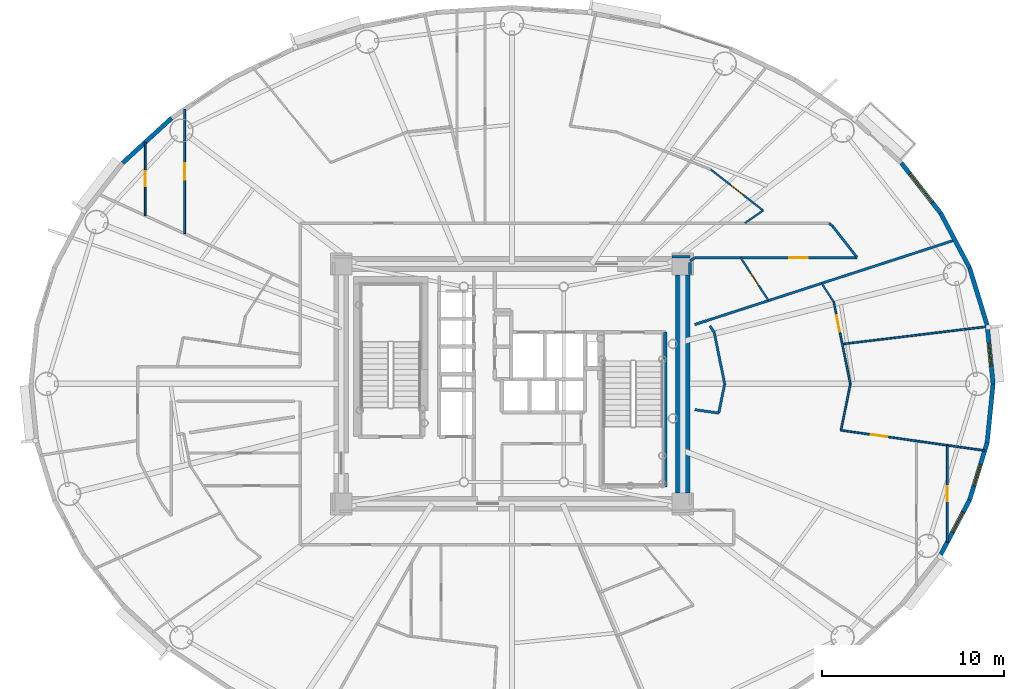
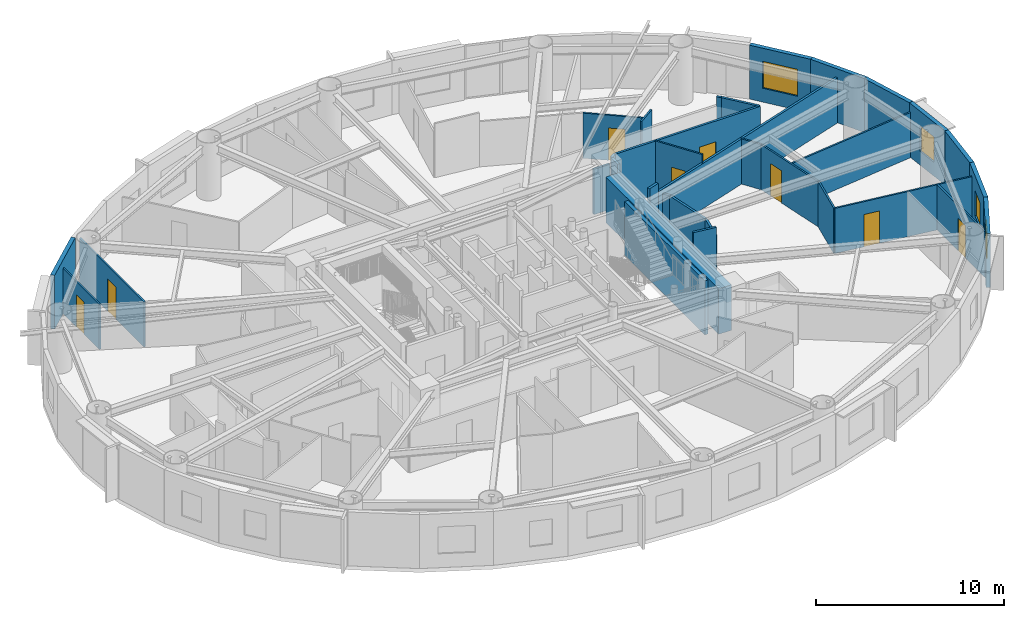
# One storey, part 10 of 18: 33 walls, 8 doors, 4 windows, 12 openings.
"""IFC4 building model written with IfcOpenShell, lengths in metres."""

from ifc_helpers import new_model, si_unit, direction, frame, frame_2d, origin, origin_2d, place, context, subcontext, project, spatial, rectangle, extrude, source, transform, mapped, material, layer, layer_set, type_object, element, fill, save


model = new_model("IFC4")

# Units and contexts
model_context = context("Model", 3, precision=1e-05, world=origin(), true_north=direction((0.0, 1.0)))
body_context = subcontext(model_context, "Body", "Model", "MODEL_VIEW")
ifc_project = project(units=[si_unit("LENGTHUNIT", "METRE"), si_unit("AREAUNIT", "SQUARE_METRE"), si_unit("VOLUMEUNIT", "CUBIC_METRE"), si_unit("PLANEANGLEUNIT", "RADIAN"), si_unit("MASSUNIT", "GRAM", prefix="KILO")], contexts=[model_context])

# Site, building, storey
site_placement = place(None, origin())
site = spatial("IfcSite", under=ifc_project, at=site_placement, CompositionType="ELEMENT")
building_placement = place(site_placement, origin())
building = spatial("IfcBuilding", under=site, at=building_placement, Name="Linh Dai School and Residence Tower", CompositionType="ELEMENT")
storey_placement = place(building_placement, frame((0.0, 0.0, 159.89990234375)))
storey = spatial("IfcBuildingStorey", under=building, at=storey_placement, Name="L38", CompositionType="ELEMENT", Elevation=159.89990234375)

# Wall, opening, window
ifc_material_1 = material(Name="Precast Concrete B45 (C35/45)", Category="concrete")
ifc_layer_1 = layer(ifc_material_1, 0.239990234375)
ifc_layer_set_1 = layer_set([ifc_layer_1], Name="Precast Concrete B45 (C35/45)")
wall_type_1 = type_object("IfcWallType", Name="EW-TC-240", PredefinedType="SOLIDWALL", material=ifc_layer_set_1)
wall_1_placement = place(storey_placement, frame((62.14990234375, 30.233642578125, 0.0), z_axis=(0.0, 0.0, 1.0), x_axis=(0.100061534614, -0.994981250723, 0.0)))
wall_1 = element("IfcWall", 1, at=wall_1_placement, inside=storey, type_object=wall_type_1, Name="L38 Terracotta Exterior Wall 01", PredefinedType="SOLIDWALL", context=body_context, shape_type="SweptSolid", body=[
    extrude(rectangle(XDim=3.25, YDim=0.239990234375, at=frame_2d((1.625, 0.0))), origin(), (0.0, 0.0, 1.0), 3.5),
])
opening_1_placement = place(wall_1_placement, frame((1.0, 0.0, 0.89990234375)))
opening_1 = element("IfcOpeningElement", 2, at=opening_1_placement, cuts=wall_1, Name="Opening W3", PredefinedType="OPENING", context=body_context, shape_type="SweptSolid", body=[
    extrude(rectangle(XDim=1.25, YDim=1.64990234375, at=origin_2d()), frame((0.625, 0.1298828125, 0.824951171875), z_axis=(0.0, -1.0, 0.0), x_axis=(1.0, 0.0, 0.0)), (0.0, 0.0, 1.0), 0.260009765625),
])
ifc_material_2 = material(Name="Double Low-E Insulated Glazing", Category="glass")
window_type_1 = type_object("IfcWindowType", Name="WN-RES-1250x1650", PartitioningType="SINGLE_PANEL", PredefinedType="WINDOW", material=ifc_material_2)
shared_shape_1 = source(origin(), body_context, "Body", "SweptSolid", [
    extrude(rectangle(XDim=1.25, YDim=1.64990234375, at=origin_2d()), frame((0.625, 0.030029296875, 0.824951171875), z_axis=(0.0, -1.0, 0.0), x_axis=(1.0, 0.0, 0.0)), (0.0, 0.0, 1.0), 0.06005859375),
])
window_1_placement = place(opening_1_placement, origin())
window_1 = element("IfcWindow", 3, at=window_1_placement, inside=storey, type_object=window_type_1, Name="L38 Dwelling Window U3808-BD1", OverallHeight=1.64990234375, OverallWidth=1.25, PartitioningType="SINGLE_PANEL", PredefinedType="WINDOW", context=body_context, shape_type="MappedRepresentation", body=[
    mapped(shared_shape_1, transform((0.0, 0.0, 0.0), x_axis=(1.0, 0.0, 0.0), y_axis=(0.0, 1.0, 0.0), z_axis=(0.0, 0.0, 1.0), scale=1.0)),
])
fill(opening_1, window_1)

# Walls
wall_2_placement = place(storey_placement, frame((61.1826171875, 33.388916015625, 0.0), z_axis=(0.0, 0.0, 1.0), x_axis=(0.293097995113, -0.956082405058, 0.0)))
element("IfcWall", 4, at=wall_2_placement, inside=storey, type_object=wall_type_1, Name="L38 Terracotta Exterior Wall 02", PredefinedType="SOLIDWALL", context=body_context, shape_type="SweptSolid", body=[
    extrude(rectangle(XDim=3.30029296875, YDim=0.239990234375, at=frame_2d((1.650146484375, 0.0))), origin(), (0.0, 0.0, 1.0), 3.5),
])
wall_3_placement = place(storey_placement, frame((59.595947265625, 36.388427734375, 0.0), z_axis=(0.0, 0.0, 1.0), x_axis=(0.467586874938, -0.88394712194, 0.0)))
element("IfcWall", 5, at=wall_3_placement, inside=storey, type_object=wall_type_1, Name="L38 Terracotta Exterior Wall 03", PredefinedType="SOLIDWALL", context=body_context, shape_type="SweptSolid", body=[
    extrude(rectangle(XDim=3.393310546875, YDim=0.239990234375, at=frame_2d((1.69677734375, 0.0))), origin(), (0.0, 0.0, 1.0), 3.5),
])

# Wall, opening, window
wall_4_placement = place(storey_placement, frame((57.42822265625, 39.158447265625, 0.0), z_axis=(0.0, 0.0, 1.0), x_axis=(0.616287674549, -0.787521112224, 0.0)))
wall_4 = element("IfcWall", 6, at=wall_4_placement, inside=storey, type_object=wall_type_1, Name="L38 Terracotta Exterior Wall 04", PredefinedType="SOLIDWALL", context=body_context, shape_type="SweptSolid", body=[
    extrude(rectangle(XDim=3.517333984375, YDim=0.239990234375, at=frame_2d((1.7587890625, 0.0))), origin(), (0.0, 0.0, 1.0), 3.5),
])
opening_2_placement = place(wall_4_placement, frame((0.758544921875, 0.0, 0.89990234375)))
opening_2 = element("IfcOpeningElement", 7, at=opening_2_placement, cuts=wall_4, Name="Opening W1", PredefinedType="OPENING", context=body_context, shape_type="SweptSolid", body=[
    extrude(rectangle(XDim=2.0, YDim=1.75, at=origin_2d()), frame((1.0, 0.1298828125, 0.875), z_axis=(0.0, -1.0, 0.0), x_axis=(1.0, 0.0, 0.0)), (0.0, 0.0, 1.0), 0.260009765625),
])
window_type_2 = type_object("IfcWindowType", Name="WN-RES-2000x1750", PartitioningType="DOUBLE_PANEL_VERTICAL", PredefinedType="WINDOW", material=ifc_material_2)
shared_shape_2 = source(origin(), body_context, "Body", "SweptSolid", [
    extrude(rectangle(XDim=2.0, YDim=1.75, at=origin_2d()), frame((1.0, 0.030029296875, 0.875), z_axis=(0.0, -1.0, 0.0), x_axis=(1.0, 0.0, 0.0)), (0.0, 0.0, 1.0), 0.06005859375),
])
window_2_placement = place(opening_2_placement, origin())
window_2 = element("IfcWindow", 8, at=window_2_placement, inside=storey, type_object=window_type_2, Name="L38 Exterior Window 04.1", OverallHeight=1.75, OverallWidth=2.0, PartitioningType="DOUBLE_PANEL_VERTICAL", PredefinedType="WINDOW", context=body_context, shape_type="MappedRepresentation", body=[
    mapped(shared_shape_2, transform((0.0, 0.0, 0.0), x_axis=(1.0, 0.0, 0.0), y_axis=(0.0, 1.0, 0.0), z_axis=(0.0, 0.0, 1.0), scale=1.0)),
])
fill(opening_2, window_2)

# Wall
wall_5_placement = place(storey_placement, frame((14.57177734375, 39.158447265625, 0.0), z_axis=(0.0, 0.0, 1.0), x_axis=(0.737076565834, 0.675809245349, 0.0)))
element("IfcWall", 9, at=wall_5_placement, inside=storey, type_object=wall_type_1, Name="L38 Terracotta Exterior Wall 16", PredefinedType="SOLIDWALL", context=body_context, shape_type="SweptSolid", body=[
    extrude(rectangle(XDim=3.658203125, YDim=0.239990234375, at=frame_2d((1.8291015625, 0.0))), origin(), (0.0, 0.0, 1.0), 3.5),
])

# Wall, opening, window
wall_6_placement = place(storey_placement, frame((61.1826171875, 20.611083984375, 0.0), z_axis=(0.0, 0.0, 1.0), x_axis=(-0.467586874938, -0.88394712194, 0.0)))
wall_6 = element("IfcWall", 10, at=wall_6_placement, inside=storey, type_object=wall_type_1, Name="L38 Terracotta Exterior Wall 38", PredefinedType="SOLIDWALL", context=body_context, shape_type="SweptSolid", body=[
    extrude(rectangle(XDim=3.393310546875, YDim=0.239990234375, at=frame_2d((1.69677734375, 0.0))), origin(), (0.0, 0.0, 1.0), 3.5),
])
opening_3_placement = place(wall_6_placement, frame((0.75927734375, 0.0, 0.89990234375)))
opening_3 = element("IfcOpeningElement", 11, at=opening_3_placement, cuts=wall_6, Name="Opening W3", PredefinedType="OPENING", context=body_context, shape_type="SweptSolid", body=[
    extrude(rectangle(XDim=1.25, YDim=1.64990234375, at=origin_2d()), frame((0.625, 0.1298828125, 0.824951171875), z_axis=(0.0, -1.0, 0.0), x_axis=(1.0, 0.0, 0.0)), (0.0, 0.0, 1.0), 0.260009765625),
])
window_3_placement = place(opening_3_placement, origin())
window_3 = element("IfcWindow", 12, at=window_3_placement, inside=storey, type_object=window_type_1, Name="L38 Exterior Window 38.1", OverallHeight=1.64990234375, OverallWidth=1.25, PartitioningType="SINGLE_PANEL", PredefinedType="WINDOW", context=body_context, shape_type="MappedRepresentation", body=[
    mapped(shared_shape_1, transform((0.0, 0.0, 0.0), x_axis=(1.0, 0.0, 0.0), y_axis=(0.0, 1.0, 0.0), z_axis=(0.0, 0.0, 1.0), scale=1.0)),
])
fill(opening_3, window_3)

wall_7_placement = place(storey_placement, frame((62.14990234375, 23.766357421875, 0.0), z_axis=(0.0, 0.0, 1.0), x_axis=(-0.293097995113, -0.956082405058, 0.0)))
wall_7 = element("IfcWall", 13, at=wall_7_placement, inside=storey, type_object=wall_type_1, Name="L38 Terracotta Exterior Wall 39", PredefinedType="SOLIDWALL", context=body_context, shape_type="SweptSolid", body=[
    extrude(rectangle(XDim=3.30029296875, YDim=0.239990234375, at=frame_2d((1.650146484375, 0.0))), origin(), (0.0, 0.0, 1.0), 3.5),
])
opening_4_placement = place(wall_7_placement, frame((1.255859375, 0.0, 0.89990234375)))
opening_4 = element("IfcOpeningElement", 14, at=opening_4_placement, cuts=wall_7, Name="Opening W3", PredefinedType="OPENING", context=body_context, shape_type="SweptSolid", body=[
    extrude(rectangle(XDim=1.25, YDim=1.64990234375, at=origin_2d()), frame((0.625, 0.1298828125, 0.824951171875), z_axis=(0.0, -1.0, 0.0), x_axis=(1.0, 0.0, 0.0)), (0.0, 0.0, 1.0), 0.260009765625),
])
window_4_placement = place(opening_4_placement, origin())
window_4 = element("IfcWindow", 15, at=window_4_placement, inside=storey, type_object=window_type_1, Name="L38 Exterior Window 39.1", OverallHeight=1.64990234375, OverallWidth=1.25, PartitioningType="SINGLE_PANEL", PredefinedType="WINDOW", context=body_context, shape_type="MappedRepresentation", body=[
    mapped(shared_shape_1, transform((0.0, 0.0, 0.0), x_axis=(1.0, 0.0, 0.0), y_axis=(0.0, 1.0, 0.0), z_axis=(0.0, 0.0, 1.0), scale=1.0)),
])
fill(opening_4, window_4)

# Wall
wall_8_placement = place(storey_placement, frame((62.47509765625, 27.0, 0.0), z_axis=(0.0, 0.0, 1.0), x_axis=(-0.100061534614, -0.994981250723, 0.0)))
element("IfcWall", 16, at=wall_8_placement, inside=storey, type_object=wall_type_1, Name="L38 Terracotta Exterior Wall 40", PredefinedType="SOLIDWALL", context=body_context, shape_type="SweptSolid", body=[
    extrude(rectangle(XDim=3.25, YDim=0.239990234375, at=frame_2d((1.625, 0.0))), origin(), (0.0, 0.0, 1.0), 3.5),
])

# Wall, opening, door
ifc_material_3 = material(Name="Autoclaved Aerated Concrete Blockwork", Category="masonry")
ifc_layer_2 = layer(ifc_material_3, 0.135009765625)
ifc_layer_set_2 = layer_set([ifc_layer_2], Name="Autoclaved Aerated Concrete Blockwork")
wall_type_2 = type_object("IfcWallType", Name="IW-CORR-135-EI90", PredefinedType="PARTITIONING", material=ifc_layer_set_2)
wall_9_placement = place(storey_placement, frame((46.064697265625, 33.949951171875, 0.0), z_axis=(0.0, 0.0, 1.0), x_axis=(1.0, 0.0, 0.0)))
wall_9 = element("IfcWall", 17, at=wall_9_placement, inside=storey, type_object=wall_type_2, Name="L38 Interior Partition Wall 078", PredefinedType="PARTITIONING", context=body_context, shape_type="SweptSolid", body=[
    extrude(rectangle(XDim=8.932373046875, YDim=0.135009765625, at=frame_2d((4.46630859375, 0.0))), origin(), (0.0, 0.0, 1.0), 3.5),
])
opening_5_placement = place(wall_9_placement, frame((5.203857421875, 0.0, 0.0)))
opening_5 = element("IfcOpeningElement", 18, at=opening_5_placement, cuts=wall_9, Name="Opening D03", PredefinedType="OPENING", context=body_context, shape_type="SweptSolid", body=[
    extrude(rectangle(XDim=1.0, YDim=2.14990234375, at=origin_2d()), frame((0.5, 0.07763671875, 1.074951171875), z_axis=(0.0, -1.0, 0.0), x_axis=(1.0, 0.0, 0.0)), (0.0, 0.0, 1.0), 0.155029296875),
])
ifc_material_4 = material(Name="Fire-Rated Solid Timber Entrance Door", Category="wood")
door_type_1 = type_object("IfcDoorType", Name="DR-FLAT-1000x2150-FD60S", OperationType="NOTDEFINED", PredefinedType="DOOR", material=ifc_material_4)
shared_shape_3 = source(origin(), body_context, "Body", "SweptSolid", [
    extrude(rectangle(XDim=1.0, YDim=2.14990234375, at=origin_2d()), frame((0.5, 0.02490234375, 1.074951171875), z_axis=(0.0, -1.0, 0.0), x_axis=(1.0, 0.0, 0.0)), (0.0, 0.0, 1.0), 0.050048828125),
])
door_1_placement = place(opening_5_placement, origin())
door_1 = element("IfcDoor", 19, at=door_1_placement, inside=storey, type_object=door_type_1, Name="L38 U3801 Apartment Entrance Door", OperationType="SINGLE_SWING_RIGHT", OverallHeight=2.14990234375, OverallWidth=1.0, PredefinedType="DOOR", context=body_context, shape_type="MappedRepresentation", body=[
    mapped(shared_shape_3, transform((0.0, 0.0, 0.0), x_axis=(1.0, 0.0, 0.0), y_axis=(0.0, 1.0, 0.0), z_axis=(0.0, 0.0, 1.0), scale=1.0)),
])
fill(opening_5, door_1)

# Walls
wall_10_placement = place(storey_placement, frame((46.709716796875, 30.479736328125, 0.0), z_axis=(0.0, 0.0, 1.0), x_axis=(0.951054665008, 0.309022691992, 0.0)))
element("IfcWall", 20, at=wall_10_placement, inside=storey, type_object=wall_type_2, Name="L38 Interior Partition Wall 080", PredefinedType="PARTITIONING", context=body_context, shape_type="SweptSolid", body=[
    extrude(rectangle(XDim=14.37158203125, YDim=0.135009765625, at=frame_2d((7.185791015625, 0.0))), origin(), (0.0, 0.0, 1.0), 2.93505859375),
])
wall_11_placement = place(storey_placement, frame((53.453857421875, 35.85009765625, 0.0), z_axis=(0.0, 0.0, 1.0), x_axis=(0.736667385572, -0.676255249913, 0.0)))
element("IfcWall", 21, at=wall_11_placement, inside=storey, type_object=wall_type_2, Name="L38 Interior Partition Wall 087", PredefinedType="PARTITIONING", context=body_context, shape_type="SweptSolid", body=[
    extrude(rectangle(XDim=0.270751953125, YDim=0.135009765625, at=frame_2d((0.13525390625, 0.0))), origin(), (0.0, 0.0, 1.0), 3.5),
])
wall_12_placement = place(storey_placement, frame((53.6533203125, 35.6669921875, 0.0), z_axis=(0.0, 0.0, 1.0), x_axis=(0.616302223209, -0.787509726713, 0.0)))
element("IfcWall", 22, at=wall_12_placement, inside=storey, type_object=wall_type_2, Name="L38 Interior Partition Wall 088", PredefinedType="PARTITIONING", context=body_context, shape_type="SweptSolid", body=[
    extrude(rectangle(XDim=2.180419921875, YDim=0.135009765625, at=frame_2d((1.09033203125, 0.0))), origin(), (0.0, 0.0, 1.0), 3.5),
])
wall_13_placement = place(storey_placement, frame((45.800048828125, 34.0, 0.0), z_axis=(0.0, 0.0, 1.0), x_axis=(-1.0, 0.0, 0.0)))
element("IfcWall", 23, at=wall_13_placement, inside=storey, type_object=wall_type_2, Name="L38 Interior Partition Wall 101", PredefinedType="PARTITIONING", context=body_context, shape_type="SweptSolid", body=[
    extrude(rectangle(XDim=0.989990234375, YDim=0.135009765625, at=frame_2d((0.4951171875, 0.0))), origin(), (0.0, 0.0, 1.0), 2.93505859375),
])
wall_14_placement = place(storey_placement, frame((46.06005859375, 25.581787109375, 0.0), z_axis=(0.0, 0.0, 1.0), x_axis=(0.990207965895, -0.139600086959, 0.0)))
element("IfcWall", 24, at=wall_14_placement, inside=storey, type_object=wall_type_2, Name="L38 Interior Partition Wall 117", PredefinedType="PARTITIONING", context=body_context, shape_type="SweptSolid", body=[
    extrude(rectangle(XDim=1.33251953125, YDim=0.135009765625, at=frame_2d((0.666259765625, 0.0))), origin(), (0.0, 0.0, 1.0), 3.5),
])
wall_15_placement = place(storey_placement, frame((47.379638671875, 25.39599609375, 0.0), z_axis=(0.0, 0.0, 1.0), x_axis=(0.19826737525, 0.980147972457, 0.0)))
element("IfcWall", 25, at=wall_15_placement, inside=storey, type_object=wall_type_2, Name="L38 Interior Partition Wall 118", PredefinedType="PARTITIONING", context=body_context, shape_type="SweptSolid", body=[
    extrude(rectangle(XDim=1.636474609375, YDim=0.135009765625, at=frame_2d((0.818359375, 0.0))), origin(), (0.0, 0.0, 1.0), 2.93505859375),
])
wall_16_placement = place(storey_placement, frame((47.7041015625, 27.0, 0.0), z_axis=(0.0, 0.0, 1.0), x_axis=(-0.198292837027, 0.980142821625, 0.0)))
element("IfcWall", 26, at=wall_16_placement, inside=storey, type_object=wall_type_2, Name="L38 Interior Partition Wall 119", PredefinedType="PARTITIONING", context=body_context, shape_type="SweptSolid", body=[
    extrude(rectangle(XDim=2.8896484375, YDim=0.135009765625, at=frame_2d((1.44482421875, 0.0))), origin(), (0.0, 0.0, 1.0), 2.93505859375),
])
wall_17_placement = place(storey_placement, frame((47.131103515625, 29.832275390625, 0.0), z_axis=(0.0, 0.0, 1.0), x_axis=(-0.545305123916, 0.838237628499, 0.0)))
element("IfcWall", 27, at=wall_17_placement, inside=storey, type_object=wall_type_2, Name="L38 Interior Partition Wall 120", PredefinedType="PARTITIONING", context=body_context, shape_type="SweptSolid", body=[
    extrude(rectangle(XDim=0.433349609375, YDim=0.135009765625, at=frame_2d((0.216796875, 0.0))), origin(), (0.0, 0.0, 1.0), 2.93505859375),
])
ifc_layer_3 = layer(ifc_material_3, 0.14990234375)
ifc_layer_set_3 = layer_set([ifc_layer_3], Name="Autoclaved Aerated Concrete Blockwork")
wall_type_3 = type_object("IfcWallType", Name="IW-SCH-150-EI60", PredefinedType="PARTITIONING", material=ifc_layer_set_3)
wall_18_placement = place(storey_placement, frame((45.800048828125, 33.010009765625, 0.0), z_axis=(0.0, 0.0, 1.0), x_axis=(0.0, 1.0, 0.0)))
element("IfcWall", 28, at=wall_18_placement, inside=storey, type_object=wall_type_3, Name="L38 Interior Partition Wall 111", PredefinedType="PARTITIONING", context=body_context, shape_type="SweptSolid", body=[
    extrude(rectangle(XDim=0.682373046875, YDim=0.14990234375, at=frame_2d((0.34130859375, 0.0))), origin(), (0.0, 0.0, 1.0), 3.5),
])
wall_19_placement = place(storey_placement, frame((45.800048828125, 33.767333984375, 0.0), z_axis=(0.0, 0.0, 1.0), x_axis=(0.823065918238, 0.56794585502, 0.0)))
element("IfcWall", 29, at=wall_19_placement, inside=storey, type_object=wall_type_3, Name="L38 Interior Partition Wall 112", PredefinedType="PARTITIONING", context=body_context, shape_type="SweptSolid", body=[
    extrude(rectangle(XDim=0.321533203125, YDim=0.14990234375, at=frame_2d((0.16064453125, 0.0))), origin(), (0.0, 0.0, 1.0), 3.5),
])
wall_20_placement = place(storey_placement, frame((46.7001953125, 30.476806640625, 0.0), z_axis=(0.0, 0.0, 1.0), x_axis=(-0.951050060735, -0.309036861841, 0.0)))
element("IfcWall", 30, at=wall_20_placement, inside=storey, type_object=wall_type_3, Name="L38 Interior Partition Wall 113", PredefinedType="PARTITIONING", context=body_context, shape_type="SweptSolid", body=[
    extrude(rectangle(XDim=0.673095703125, YDim=0.14990234375, at=frame_2d((0.33642578125, 0.0))), origin(), (0.0, 0.0, 1.0), 3.5),
])
ifc_material_5 = material(Name="Concrete B45 (C35/45)", Category="concrete")
ifc_layer_4 = layer(ifc_material_5, 0.199951171875)
ifc_layer_set_4 = layer_set([ifc_layer_4], Name="Concrete B45 (C35/45)")
wall_type_4 = type_object("IfcWallType", Name="IW-SHAFT-200-EI120", PredefinedType="PARTITIONING", material=ifc_layer_set_4)
wall_21_placement = place(storey_placement, frame((44.43994140625, 21.330078125, 0.0), z_axis=(0.0, 0.0, 1.0), x_axis=(0.0, 1.0, 0.0)))
element("IfcWall", 31, at=wall_21_placement, inside=storey, type_object=wall_type_4, Name="L38 Interior Partition Wall 077", PredefinedType="PARTITIONING", context=body_context, shape_type="SweptSolid", body=[
    extrude(rectangle(XDim=8.52001953125, YDim=0.199951171875, at=frame_2d((4.260009765625, 0.0))), origin(), (0.0, 0.0, 1.0), 3.5),
])

# Wall, opening, door
ifc_material_6 = material(Name="Gypsum Plasterboard Acoustic Stud Partition", Category="masonry")
ifc_layer_5 = layer(ifc_material_6, 0.10009765625)
ifc_layer_set_5 = layer_set([ifc_layer_5], Name="Gypsum Plasterboard Acoustic Stud Partition")
wall_type_5 = type_object("IfcWallType", Name="IW-UNIT-100", PredefinedType="PARTITIONING", material=ifc_layer_set_5)
wall_22_placement = place(storey_placement, frame((15.81494140625, 36.262939453125, 0.0), z_axis=(0.0, 0.0, 1.0), x_axis=(0.0, 1.0, 0.0)))
wall_22 = element("IfcWall", 32, at=wall_22_placement, inside=storey, type_object=wall_type_5, Name="L38 Interior Partition Wall 008", PredefinedType="PARTITIONING", context=body_context, shape_type="SweptSolid", body=[
    extrude(rectangle(XDim=4.0419921875, YDim=0.10009765625, at=frame_2d((2.02099609375, 0.0))), origin(), (0.0, 0.0, 1.0), 2.93505859375),
])
opening_6_placement = place(wall_22_placement, frame((1.611083984375, 0.0, 0.0)))
opening_6 = element("IfcOpeningElement", 33, at=opening_6_placement, cuts=wall_22, Name="Opening D06", PredefinedType="OPENING", context=body_context, shape_type="SweptSolid", body=[
    extrude(rectangle(XDim=0.820068359375, YDim=2.10009765625, at=origin_2d()), frame((0.41015625, 0.06005859375, 1.050048828125), z_axis=(0.0, -1.0, 0.0), x_axis=(1.0, 0.0, 0.0)), (0.0, 0.0, 1.0), 0.1201171875),
])
ifc_material_7 = material(Name="Moisture-Resistant Timber Bathroom Door", Category="wood")
door_type_2 = type_object("IfcDoorType", Name="DR-WET-820x2100", OperationType="NOTDEFINED", PredefinedType="DOOR", material=ifc_material_7)
shared_shape_4 = source(origin(), body_context, "Body", "SweptSolid", [
    extrude(rectangle(XDim=0.820068359375, YDim=2.10009765625, at=origin_2d()), frame((0.41015625, 0.02490234375, 1.050048828125), z_axis=(0.0, -1.0, 0.0), x_axis=(1.0, 0.0, 0.0)), (0.0, 0.0, 1.0), 0.050048828125),
])
door_2_placement = place(opening_6_placement, origin())
door_2 = element("IfcDoor", 34, at=door_2_placement, inside=storey, type_object=door_type_2, Name="L38 Apartment U3803 Bathroom 1 Door", OperationType="SINGLE_SWING_RIGHT", OverallHeight=2.10009765625, OverallWidth=0.820068359375, PredefinedType="DOOR", context=body_context, shape_type="MappedRepresentation", body=[
    mapped(shared_shape_4, transform((0.0, 0.0, 0.0), x_axis=(1.0, 0.0, 0.0), y_axis=(0.0, 1.0, 0.0), z_axis=(0.0, 0.0, 1.0), scale=1.0)),
])
fill(opening_6, door_2)

wall_23_placement = place(storey_placement, frame((17.984375, 35.267333984375, 0.0), z_axis=(0.0, 0.0, 1.0), x_axis=(0.0, 1.0, 0.0)))
wall_23 = element("IfcWall", 35, at=wall_23_placement, inside=storey, type_object=wall_type_5, Name="L38 Interior Partition Wall 015", PredefinedType="PARTITIONING", context=body_context, shape_type="SweptSolid", body=[
    extrude(rectangle(XDim=6.848388671875, YDim=0.10009765625, at=frame_2d((3.42431640625, 0.0))), origin(), (0.0, 0.0, 1.0), 2.93505859375),
])
opening_7_placement = place(wall_23_placement, frame((2.97412109375, 0.0, 0.0)))
opening_7 = element("IfcOpeningElement", 36, at=opening_7_placement, cuts=wall_23, Name="Opening D05", PredefinedType="OPENING", context=body_context, shape_type="SweptSolid", body=[
    extrude(rectangle(XDim=0.89990234375, YDim=2.10009765625, at=origin_2d()), frame((0.449951171875, 0.06005859375, 1.050048828125), z_axis=(0.0, -1.0, 0.0), x_axis=(1.0, 0.0, 0.0)), (0.0, 0.0, 1.0), 0.1201171875),
])
ifc_material_8 = material(Name="Engineered Timber Internal Door", Category="wood")
door_type_3 = type_object("IfcDoorType", Name="DR-INT-900x2100", OperationType="NOTDEFINED", PredefinedType="DOOR", material=ifc_material_8)
shared_shape_5 = source(origin(), body_context, "Body", "SweptSolid", [
    extrude(rectangle(XDim=0.89990234375, YDim=2.10009765625, at=origin_2d()), frame((0.449951171875, 0.02490234375, 1.050048828125), z_axis=(0.0, -1.0, 0.0), x_axis=(1.0, 0.0, 0.0)), (0.0, 0.0, 1.0), 0.050048828125),
])
door_3_placement = place(opening_7_placement, origin())
door_3 = element("IfcDoor", 37, at=door_3_placement, inside=storey, type_object=door_type_3, Name="L38 Apartment U3803 Kitchen Door", OperationType="SINGLE_SWING_LEFT", OverallHeight=2.10009765625, OverallWidth=0.89990234375, PredefinedType="DOOR", context=body_context, shape_type="MappedRepresentation", body=[
    mapped(shared_shape_5, transform((0.0, 0.0, 0.0), x_axis=(1.0, 0.0, 0.0), y_axis=(0.0, 1.0, 0.0), z_axis=(0.0, 0.0, 1.0), scale=1.0)),
])
fill(opening_7, door_3)

wall_24_placement = place(storey_placement, frame((46.944580078125, 38.79638671875, 0.0), z_axis=(0.0, 0.0, 1.0), x_axis=(0.787307530322, -0.616560502058, 0.0)))
wall_24 = element("IfcWall", 38, at=wall_24_placement, inside=storey, type_object=wall_type_5, Name="L38 Interior Partition Wall 081", PredefinedType="PARTITIONING", context=body_context, shape_type="SweptSolid", body=[
    extrude(rectangle(XDim=3.6533203125, YDim=0.10009765625, at=frame_2d((1.82666015625, 0.0))), origin(), (0.0, 0.0, 1.0), 2.93505859375),
])
opening_8_placement = place(wall_24_placement, frame((1.376708984375, 0.0, 0.0)))
opening_8 = element("IfcOpeningElement", 39, at=opening_8_placement, cuts=wall_24, Name="Opening D05", PredefinedType="OPENING", context=body_context, shape_type="SweptSolid", body=[
    extrude(rectangle(XDim=0.89990234375, YDim=2.10009765625, at=origin_2d()), frame((0.449951171875, 0.06005859375, 1.050048828125), z_axis=(0.0, -1.0, 0.0), x_axis=(1.0, 0.0, 0.0)), (0.0, 0.0, 1.0), 0.1201171875),
])
door_4_placement = place(opening_8_placement, origin())
door_4 = element("IfcDoor", 40, at=door_4_placement, inside=storey, type_object=door_type_3, Name="L38 Apartment U3801 Kitchen Door", OperationType="SINGLE_SWING_RIGHT", OverallHeight=2.10009765625, OverallWidth=0.89990234375, PredefinedType="DOOR", context=body_context, shape_type="MappedRepresentation", body=[
    mapped(shared_shape_5, transform((0.0, 0.0, 0.0), x_axis=(1.0, 0.0, 0.0), y_axis=(0.0, 1.0, 0.0), z_axis=(0.0, 0.0, 1.0), scale=1.0)),
])
fill(opening_8, door_4)

wall_25_placement = place(storey_placement, frame((48.579833984375, 33.949951171875, 0.0), z_axis=(0.0, 0.0, 1.0), x_axis=(0.545393120499, -0.838180376836, 0.0)))
wall_25 = element("IfcWall", 41, at=wall_25_placement, inside=storey, type_object=wall_type_5, Name="L38 Interior Partition Wall 084", PredefinedType="PARTITIONING", context=body_context, shape_type="SweptSolid", body=[
    extrude(rectangle(XDim=2.8193359375, YDim=0.10009765625, at=frame_2d((1.40966796875, 0.0))), origin(), (0.0, 0.0, 1.0), 3.5),
])
opening_9_placement = place(wall_25_placement, frame((0.99951171875, 0.0, 0.0)))
opening_9 = element("IfcOpeningElement", 42, at=opening_9_placement, cuts=wall_25, Name="Opening D06", PredefinedType="OPENING", context=body_context, shape_type="SweptSolid", body=[
    extrude(rectangle(XDim=0.820068359375, YDim=2.10009765625, at=origin_2d()), frame((0.41015625, 0.06005859375, 1.050048828125), z_axis=(0.0, -1.0, 0.0), x_axis=(1.0, 0.0, 0.0)), (0.0, 0.0, 1.0), 0.1201171875),
])
door_5_placement = place(opening_9_placement, origin())
door_5 = element("IfcDoor", 43, at=door_5_placement, inside=storey, type_object=door_type_2, Name="L38 Apartment U3801 Bathroom Door", OperationType="SINGLE_SWING_LEFT", OverallHeight=2.10009765625, OverallWidth=0.820068359375, PredefinedType="DOOR", context=body_context, shape_type="MappedRepresentation", body=[
    mapped(shared_shape_4, transform((0.0, 0.0, 0.0), x_axis=(1.0, 0.0, 0.0), y_axis=(0.0, 1.0, 0.0), z_axis=(0.0, 0.0, 1.0), scale=1.0)),
])
fill(opening_9, door_5)

# Walls
wall_26_placement = place(storey_placement, frame((48.816162109375, 35.85009765625, 0.0), z_axis=(0.0, 0.0, 1.0), x_axis=(0.822832340307, 0.568284206841, 0.0)))
element("IfcWall", 44, at=wall_26_placement, inside=storey, type_object=wall_type_5, Name="L38 Interior Partition Wall 085", PredefinedType="PARTITIONING", context=body_context, shape_type="SweptSolid", body=[
    extrude(rectangle(XDim=1.220947265625, YDim=0.10009765625, at=frame_2d((0.6103515625, 0.0))), origin(), (0.0, 0.0, 1.0), 3.5),
])
wall_27_placement = place(storey_placement, frame((53.038330078125, 32.5361328125, 0.0), z_axis=(0.0, 0.0, 1.0), x_axis=(0.545407162254, -0.83817123988, 0.0)))
element("IfcWall", 45, at=wall_27_placement, inside=storey, type_object=wall_type_5, Name="L38 Interior Partition Wall 086", PredefinedType="PARTITIONING", context=body_context, shape_type="SweptSolid", body=[
    extrude(rectangle(XDim=1.229248046875, YDim=0.10009765625, at=frame_2d((0.61474609375, 0.0))), origin(), (0.0, 0.0, 1.0), 2.93505859375),
])

# Wall, opening, door
wall_28_placement = place(storey_placement, frame((53.708740234375, 31.505859375, 0.0), z_axis=(0.0, 0.0, 1.0), x_axis=(0.198209478932, -0.980159682124, 0.0)))
wall_28 = element("IfcWall", 46, at=wall_28_placement, inside=storey, type_object=wall_type_5, Name="L38 Interior Partition Wall 089", PredefinedType="PARTITIONING", context=body_context, shape_type="SweptSolid", body=[
    extrude(rectangle(XDim=4.596923828125, YDim=0.10009765625, at=frame_2d((2.29833984375, 0.0))), origin(), (0.0, 0.0, 1.0), 2.93505859375),
])
opening_10_placement = place(wall_28_placement, frame((0.75, 0.0, 0.0)))
opening_10 = element("IfcOpeningElement", 47, at=opening_10_placement, cuts=wall_28, Name="Opening D05", PredefinedType="OPENING", context=body_context, shape_type="SweptSolid", body=[
    extrude(rectangle(XDim=0.89990234375, YDim=2.10009765625, at=origin_2d()), frame((0.449951171875, 0.06005859375, 1.050048828125), z_axis=(0.0, -1.0, 0.0), x_axis=(1.0, 0.0, 0.0)), (0.0, 0.0, 1.0), 0.1201171875),
])
door_6_placement = place(opening_10_placement, origin())
door_6 = element("IfcDoor", 48, at=door_6_placement, inside=storey, type_object=door_type_3, Name="L38 Apartment U3808 Study Door", OperationType="SINGLE_SWING_RIGHT", OverallHeight=2.10009765625, OverallWidth=0.89990234375, PredefinedType="DOOR", context=body_context, shape_type="MappedRepresentation", body=[
    mapped(shared_shape_5, transform((0.0, 0.0, 0.0), x_axis=(1.0, 0.0, 0.0), y_axis=(0.0, 1.0, 0.0), z_axis=(0.0, 0.0, 1.0), scale=1.0)),
])
fill(opening_10, door_6)

# Wall
wall_29_placement = place(storey_placement, frame((54.103759765625, 24.447998046875, 0.0), z_axis=(0.0, 0.0, 1.0), x_axis=(0.198315541218, 0.980138228063, 0.0)))
element("IfcWall", 49, at=wall_29_placement, inside=storey, type_object=wall_type_5, Name="L38 Interior Partition Wall 090", PredefinedType="PARTITIONING", context=body_context, shape_type="SweptSolid", body=[
    extrude(rectangle(XDim=2.603759765625, YDim=0.10009765625, at=frame_2d((1.3017578125, 0.0))), origin(), (0.0, 0.0, 1.0), 2.93505859375),
])

# Wall, opening, door
wall_30_placement = place(storey_placement, frame((54.103759765625, 24.447998046875, 0.0), z_axis=(0.0, 0.0, 1.0), x_axis=(0.990209750791, -0.139587425789, 0.0)))
wall_30 = element("IfcWall", 50, at=wall_30_placement, inside=storey, type_object=wall_type_5, Name="L38 Interior Partition Wall 091", PredefinedType="PARTITIONING", context=body_context, shape_type="SweptSolid", body=[
    extrude(rectangle(XDim=7.99658203125, YDim=0.10009765625, at=frame_2d((3.998291015625, 0.0))), origin(), (0.0, 0.0, 1.0), 2.93505859375),
])
opening_11_placement = place(wall_30_placement, frame((1.669677734375, 0.0, 0.0)))
opening_11 = element("IfcOpeningElement", 51, at=opening_11_placement, cuts=wall_30, Name="Opening D05", PredefinedType="OPENING", context=body_context, shape_type="SweptSolid", body=[
    extrude(rectangle(XDim=0.89990234375, YDim=2.10009765625, at=origin_2d()), frame((0.449951171875, 0.06005859375, 1.050048828125), z_axis=(0.0, -1.0, 0.0), x_axis=(1.0, 0.0, 0.0)), (0.0, 0.0, 1.0), 0.1201171875),
])
door_7_placement = place(opening_11_placement, origin())
door_7 = element("IfcDoor", 52, at=door_7_placement, inside=storey, type_object=door_type_3, Name="L38 Apartment U3808 Principal Bedroom 1 Door", OperationType="SINGLE_SWING_LEFT", OverallHeight=2.10009765625, OverallWidth=0.89990234375, PredefinedType="DOOR", context=body_context, shape_type="MappedRepresentation", body=[
    mapped(shared_shape_5, transform((0.0, 0.0, 0.0), x_axis=(1.0, 0.0, 0.0), y_axis=(0.0, 1.0, 0.0), z_axis=(0.0, 0.0, 1.0), scale=1.0)),
])
fill(opening_11, door_7)

# Wall
wall_31_placement = place(storey_placement, frame((54.176513671875, 29.192626953125, 0.0), z_axis=(0.0, 0.0, 1.0), x_axis=(0.992799222866, 0.119790246168, 0.0)))
element("IfcWall", 53, at=wall_31_placement, inside=storey, type_object=wall_type_5, Name="L38 Interior Partition Wall 092", PredefinedType="PARTITIONING", context=body_context, shape_type="SweptSolid", body=[
    extrude(rectangle(XDim=8.044189453125, YDim=0.10009765625, at=frame_2d((4.02197265625, 0.0))), origin(), (0.0, 0.0, 1.0), 2.93505859375),
])

# Wall, opening, door
wall_32_placement = place(storey_placement, frame((59.961181640625, 18.291259765625, 0.0), z_axis=(0.0, 0.0, 1.0), x_axis=(0.0, 1.0, 0.0)))
wall_32 = element("IfcWall", 54, at=wall_32_placement, inside=storey, type_object=wall_type_5, Name="L38 Interior Partition Wall 094", PredefinedType="PARTITIONING", context=body_context, shape_type="SweptSolid", body=[
    extrude(rectangle(XDim=5.3310546875, YDim=0.10009765625, at=frame_2d((2.66552734375, 0.0))), origin(), (0.0, 0.0, 1.0), 2.93505859375),
])
opening_12_placement = place(wall_32_placement, frame((2.255615234375, 0.0, 0.0)))
opening_12 = element("IfcOpeningElement", 55, at=opening_12_placement, cuts=wall_32, Name="Opening D06", PredefinedType="OPENING", context=body_context, shape_type="SweptSolid", body=[
    extrude(rectangle(XDim=0.820068359375, YDim=2.10009765625, at=origin_2d()), frame((0.41015625, 0.06005859375, 1.050048828125), z_axis=(0.0, -1.0, 0.0), x_axis=(1.0, 0.0, 0.0)), (0.0, 0.0, 1.0), 0.1201171875),
])
door_8_placement = place(opening_12_placement, origin())
door_8 = element("IfcDoor", 56, at=door_8_placement, inside=storey, type_object=door_type_2, Name="L38 Apartment U3808 Bathroom 1 Door", OperationType="SINGLE_SWING_RIGHT", OverallHeight=2.10009765625, OverallWidth=0.820068359375, PredefinedType="DOOR", context=body_context, shape_type="MappedRepresentation", body=[
    mapped(shared_shape_4, transform((0.0, 0.0, 0.0), x_axis=(1.0, 0.0, 0.0), y_axis=(0.0, 1.0, 0.0), z_axis=(0.0, 0.0, 1.0), scale=1.0)),
])
fill(opening_12, door_8)

# Wall
ifc_material_9 = material(Name="Concrete B60 (C50/60)", Category="concrete")
ifc_layer_6 = layer(ifc_material_9, 0.800048828125)
ifc_layer_set_6 = layer_set([ifc_layer_6], Name="Concrete B60 (C50/60)")
wall_type_6 = type_object("IfcWallType", Name="WL-CORE800", PredefinedType="SHEAR", material=ifc_layer_set_6)
wall_33_placement = place(storey_placement, frame((45.39990234375, 33.0, 0.0), z_axis=(0.0, 0.0, 1.0), x_axis=(0.0, -1.0, 0.0)))
element("IfcWall", 57, at=wall_33_placement, inside=storey, type_object=wall_type_6, Name="L38 Central Core Shear Wall E", PredefinedType="SHEAR", context=body_context, shape_type="SweptSolid", body=[
    extrude(rectangle(XDim=12.0, YDim=0.800048828125, at=frame_2d((6.0, 0.0))), origin(), (0.0, 0.0, 1.0), 2.9501953125),
])

save(model, "model.ifc")
